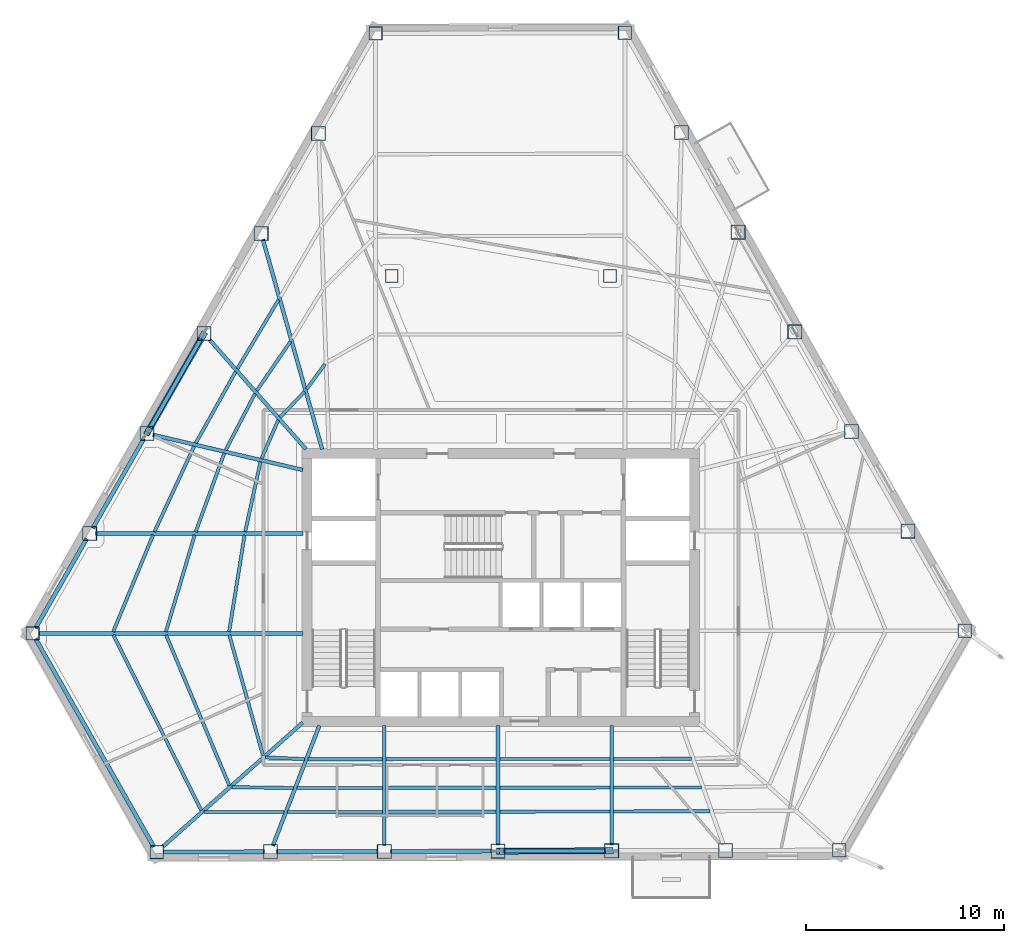
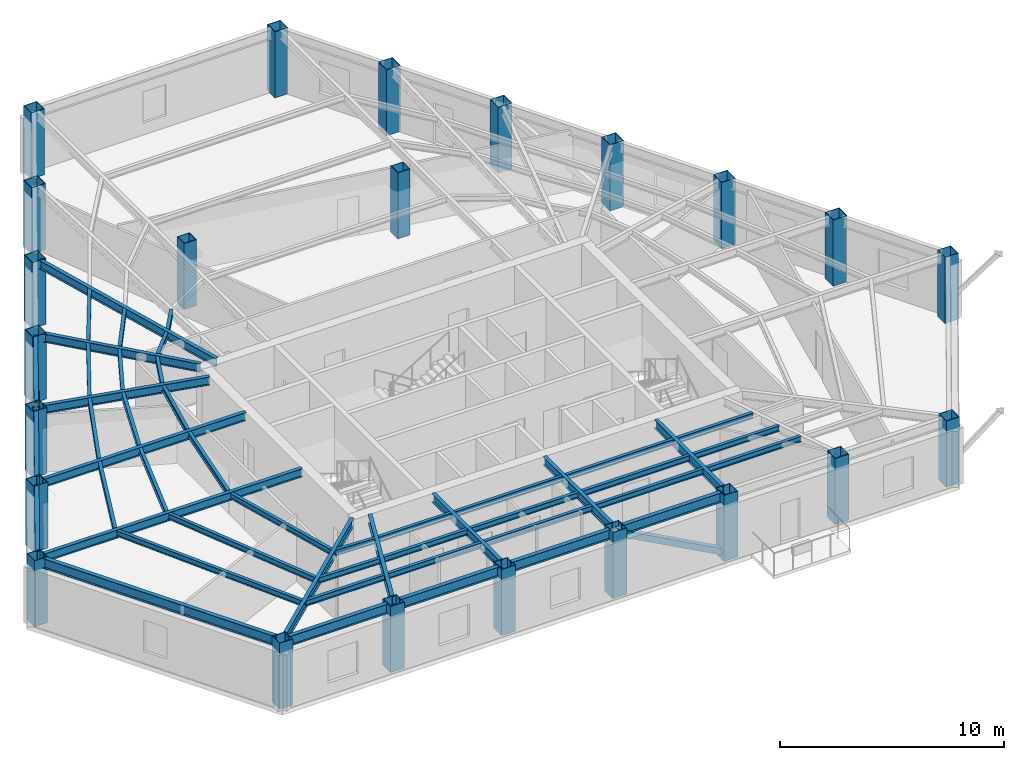
# One storey, part 1 of 11: 49 beams, 23 columns, 2 members.
"""IFC4 building model written with IfcOpenShell, lengths in metres."""

from ifc_helpers import new_model, si_unit, direction, frame, origin, origin_2d, place, context, subcontext, project, spatial, hollow_rectangle, i_section, extrude, material, material_profile, profile_set, type_object, element, save


model = new_model("IFC4")

# Units and contexts
model_context = context("Model", 3, precision=1e-05, world=origin(), true_north=direction((0.0, 1.0)))
body_context = subcontext(model_context, "Body", "Model", "MODEL_VIEW")
ifc_project = project(units=[si_unit("LENGTHUNIT", "METRE"), si_unit("AREAUNIT", "SQUARE_METRE"), si_unit("VOLUMEUNIT", "CUBIC_METRE"), si_unit("PLANEANGLEUNIT", "RADIAN"), si_unit("MASSUNIT", "GRAM", prefix="KILO")], contexts=[model_context])

# Site, building, storey
site_placement = place(None, origin())
site = spatial("IfcSite", under=ifc_project, at=site_placement, CompositionType="ELEMENT")
building_placement = place(site_placement, origin())
building = spatial("IfcBuilding", under=site, at=building_placement, Name="Kavelnor Concourse Tower", CompositionType="ELEMENT")
storey_placement = place(building_placement, frame((0.0, 0.0, 89.35009765625)))
storey = spatial("IfcBuildingStorey", under=building, at=storey_placement, Name="L22", CompositionType="ELEMENT", Elevation=89.35009765625)

# Columns
ifc_material = material(Name="Steel Grade 350", Category="steel")
ifc_material_profile_1 = material_profile(ifc_material, hollow_rectangle(XDim=0.679931640625, YDim=0.679931640625, WallThickness=0.030029296875, at=origin_2d()), Name="SHS 680x680x30")
ifc_profile_set_1 = profile_set([ifc_material_profile_1], Name="Steel Grade 350")
column_type_1 = type_object("IfcColumnType", Name="COL-FOLD-Z2", PredefinedType="COLUMN", material=ifc_profile_set_1)
for number, where, z_axis, x_axis, name in (
    (1, (31.682861328125, 44.02392578125, 0.0), (0.0, 0.0, 1.0), (1.0, 0.0, 0.0), "L22 Perimeter Corner-Fold Column F0-B0"),
    (2, (14.3955078125, 13.78271484375, 0.0), (0.0, 0.0, 1.0), (1.0, 0.0, 0.0), "L22 Perimeter Corner-Fold Column F0-B6"),
    (3, (20.656005859375, 2.76123046875, 0.0), (0.0, 0.0, 1.0), (1.0, 0.0, 0.0), "L22 Perimeter Corner-Fold Column F1-B0"),
    (4, (55.054931640625, 2.85498046875, 0.0), (0.0, 0.0, 1.0), (1.0, 0.0, 0.0), "L22 Perimeter Corner-Fold Column F1-B6"),
    (5, (61.37744140625, 13.915283203125, 0.0), (0.0, 0.0, 1.0), (1.0, 0.0, 0.0), "L22 Perimeter Corner-Fold Column F2-B0"),
    (6, (44.255126953125, 44.05810546875, 0.0), (0.0, 0.0, 1.0), (1.0, 0.0, 0.0), "L22 Perimeter Corner-Fold Column F2-B6"),
):
    element("IfcColumn", number, at=place(storey_placement, frame(where, z_axis=z_axis, x_axis=x_axis)), inside=storey, type_object=column_type_1, Name=name, PredefinedType="COLUMN", context=body_context, shape_type="SweptSolid", body=[
        extrude(hollow_rectangle(XDim=0.679931640625, YDim=0.679931640625, WallThickness=0.030029296875, at=origin_2d()), origin(), (0.0, 0.0, 1.0), 3.599853515625),
    ])
ifc_material_profile_2 = material_profile(ifc_material, hollow_rectangle(XDim=0.719970703125, YDim=0.719970703125, WallThickness=0.031982421875, at=origin_2d()), Name="SHS 720x720x32")
ifc_profile_set_2 = profile_set([ifc_material_profile_2], Name="Steel Grade 350")
column_type_2 = type_object("IfcColumnType", Name="COL-TUBE-Z2", PredefinedType="COLUMN", material=ifc_profile_set_2)
for number, where, z_axis, x_axis, name in (
    (7, (28.801513671875, 38.98388671875, 0.0), (0.0, 0.0, 1.0), (1.0, 0.0, 0.0), "L22 Perimeter Framed-Tube Column F0-B1"),
    (8, (25.92041015625, 33.943603515625, 0.0), (0.0, 0.0, 1.0), (1.0, 0.0, 0.0), "L22 Perimeter Framed-Tube Column F0-B2"),
    (9, (23.0390625, 28.9033203125, 0.0), (0.0, 0.0, 1.0), (1.0, 0.0, 0.0), "L22 Perimeter Framed-Tube Column F0-B3"),
    (10, (20.157958984375, 23.863037109375, 0.0), (0.0, 0.0, 1.0), (1.0, 0.0, 0.0), "L22 Perimeter Framed-Tube Column F0-B4"),
    (11, (17.276611328125, 18.82275390625, 0.0), (0.0, 0.0, 1.0), (1.0, 0.0, 0.0), "L22 Perimeter Framed-Tube Column F0-B5"),
    (12, (26.38916015625, 2.77685546875, 0.0), (0.0, 0.0, 1.0), (1.0, 0.0, 0.0), "L22 Perimeter Framed-Tube Column F1-B1"),
    (13, (32.122314453125, 2.79248046875, 0.0), (0.0, 0.0, 1.0), (1.0, 0.0, 0.0), "L22 Perimeter Framed-Tube Column F1-B2"),
    (14, (37.85546875, 2.80810546875, 0.0), (0.0, 0.0, 1.0), (1.0, 0.0, 0.0), "L22 Perimeter Framed-Tube Column F1-B3"),
    (15, (43.588623046875, 2.82373046875, 0.0), (0.0, 0.0, 1.0), (1.0, 0.0, 0.0), "L22 Perimeter Framed-Tube Column F1-B4"),
    (16, (49.32177734375, 2.83935546875, 0.0), (0.0, 0.0, 1.0), (1.0, 0.0, 0.0), "L22 Perimeter Framed-Tube Column F1-B5"),
    (17, (58.523681640625, 18.939208984375, 0.0), (0.0, 0.0, 1.0), (1.0, 0.0, 0.0), "L22 Perimeter Framed-Tube Column F2-B1"),
    (18, (55.669921875, 23.962890625, 0.0), (0.0, 0.0, 1.0), (1.0, 0.0, 0.0), "L22 Perimeter Framed-Tube Column F2-B2"),
    (19, (52.81640625, 28.98681640625, 0.0), (0.0, 0.0, 1.0), (1.0, 0.0, 0.0), "L22 Perimeter Framed-Tube Column F2-B3"),
    (20, (49.962646484375, 34.010498046875, 0.0), (0.0, 0.0, 1.0), (1.0, 0.0, 0.0), "L22 Perimeter Framed-Tube Column F2-B4"),
    (21, (47.10888671875, 39.034423828125, 0.0), (0.0, 0.0, 1.0), (1.0, 0.0, 0.0), "L22 Perimeter Framed-Tube Column F2-B5"),
):
    element("IfcColumn", number, at=place(storey_placement, frame(where, z_axis=z_axis, x_axis=x_axis)), inside=storey, type_object=column_type_2, Name=name, PredefinedType="COLUMN", context=body_context, shape_type="SweptSolid", body=[
        extrude(hollow_rectangle(XDim=0.719970703125, YDim=0.719970703125, WallThickness=0.031982421875, at=origin_2d()), origin(), (0.0, 0.0, 1.0), 3.599853515625),
    ])
ifc_material_profile_3 = material_profile(ifc_material, hollow_rectangle(XDim=0.639892578125, YDim=0.639892578125, WallThickness=0.028076171875, at=origin_2d()), Name="SHS 640x640x28")
ifc_profile_set_3 = profile_set([ifc_material_profile_3], Name="Steel Grade 350")
column_type_3 = type_object("IfcColumnType", Name="COL-TUBE-Z3", PredefinedType="COLUMN", material=ifc_profile_set_3)
for number, where, z_axis, x_axis, name in (
    (22, (32.5, 31.800048828125, 0.0), (0.0, 0.0, 1.0), (1.0, 0.0, 0.0), "L22 North Interior Gravity Column BC-NW"),
    (23, (43.5, 31.800048828125, 0.0), (0.0, 0.0, 1.0), (1.0, 0.0, 0.0), "L22 North Interior Gravity Column BC-NE"),
):
    element("IfcColumn", number, at=place(storey_placement, frame(where, z_axis=z_axis, x_axis=x_axis)), inside=storey, type_object=column_type_3, Name=name, PredefinedType="COLUMN", context=body_context, shape_type="SweptSolid", body=[
        extrude(hollow_rectangle(XDim=0.639892578125, YDim=0.639892578125, WallThickness=0.028076171875, at=origin_2d()), origin(), (0.0, 0.0, 1.0), 3.599853515625),
    ])

# Beams
ifc_material_profile_4 = material_profile(ifc_material, i_section(OverallWidth=0.166015625, OverallDepth=0.306884765625, WebThickness=0.006591796875, FlangeThickness=0.01171875, at=origin_2d()), Name="310UB46")
ifc_profile_set_4 = profile_set([ifc_material_profile_4], Name="Steel Grade 350")
beam_type_1 = type_object("IfcBeamType", Name="BM-JOIST-310", PredefinedType="JOIST", material=ifc_profile_set_4)
beam_1_placement = place(storey_placement, frame((24.31298828125, 13.697021484375, 3.4462890625), z_axis=(0.269535201079, -0.962990537534, 0.0), x_axis=(0.962990537534, 0.269535201079, 0.0)))
element("IfcBeam", 24, at=beam_1_placement, inside=storey, type_object=beam_type_1, Name="L22 Secondary Composite Joist 01-1", PredefinedType="JOIST", context=body_context, shape_type="SweptSolid", body=[
    extrude(i_section(OverallWidth=0.166015625, OverallDepth=0.306884765625, WebThickness=0.006591796875, FlangeThickness=0.01171875, at=origin_2d()), origin(), (0.0, 0.0, 1.0), 6.3095703125),
])
beam_2_placement = place(storey_placement, frame((21.125732421875, 13.70068359375, 3.4462890625), z_axis=(0.387429273987, -0.921899429253, 0.0), x_axis=(0.921899429253, 0.387429273987, 0.0)))
element("IfcBeam", 25, at=beam_2_placement, inside=storey, type_object=beam_type_1, Name="L22 Secondary Composite Joist 01-2", PredefinedType="JOIST", context=body_context, shape_type="SweptSolid", body=[
    extrude(i_section(OverallWidth=0.166015625, OverallDepth=0.306884765625, WebThickness=0.006591796875, FlangeThickness=0.01171875, at=origin_2d()), origin(), (0.0, 0.0, 1.0), 8.225341796875),
])
beam_3_placement = place(storey_placement, frame((18.46630859375, 13.702880859375, 3.4462890625), z_axis=(0.448299813483, -0.893883257048, 0.0), x_axis=(0.893883257048, 0.448299813483, 0.0)))
element("IfcBeam", 26, at=beam_3_placement, inside=storey, type_object=beam_type_1, Name="L22 Secondary Composite Joist 01-3", PredefinedType="JOIST", context=body_context, shape_type="SweptSolid", body=[
    extrude(i_section(OverallWidth=0.166015625, OverallDepth=0.306884765625, WebThickness=0.006591796875, FlangeThickness=0.01171875, at=origin_2d()), origin(), (0.0, 0.0, 1.0), 9.886474609375),
])
beam_4_placement = place(storey_placement, frame((26.12646484375, 7.53125, 3.4462890625), z_axis=(0.999054065326, -0.043485337245, 0.0), x_axis=(0.043485337245, 0.999054065326, 0.0)))
element("IfcBeam", 27, at=beam_4_placement, inside=storey, type_object=beam_type_1, Name="L22 Secondary Composite Joist 02-1", PredefinedType="JOIST", context=body_context, shape_type="SweptSolid", body=[
    extrude(i_section(OverallWidth=0.166015625, OverallDepth=0.306884765625, WebThickness=0.006591796875, FlangeThickness=0.01171875, at=origin_2d()), origin(), (0.0, 0.0, 1.0), 1.98193359375),
])
beam_5_placement = place(storey_placement, frame((24.43603515625, 6.0341796875, 3.4462890625), z_axis=(0.999892089779, -0.01469043218, 0.0), x_axis=(0.01469043218, 0.999892089779, 0.0)))
element("IfcBeam", 28, at=beam_5_placement, inside=storey, type_object=beam_type_1, Name="L22 Secondary Composite Joist 02-2", PredefinedType="JOIST", context=body_context, shape_type="SweptSolid", body=[
    extrude(i_section(OverallWidth=0.166015625, OverallDepth=0.306884765625, WebThickness=0.006591796875, FlangeThickness=0.01171875, at=origin_2d()), origin(), (0.0, 0.0, 1.0), 3.107666015625),
])
beam_6_placement = place(storey_placement, frame((23.02734375, 4.78564453125, 3.4462890625), z_axis=(0.999997088421, -0.002413120387, 0.0), x_axis=(0.002413120387, 0.999997088421, 0.0)))
element("IfcBeam", 29, at=beam_6_placement, inside=storey, type_object=beam_type_1, Name="L22 Secondary Composite Joist 02-3", PredefinedType="JOIST", context=body_context, shape_type="SweptSolid", body=[
    extrude(i_section(OverallWidth=0.166015625, OverallDepth=0.306884765625, WebThickness=0.006591796875, FlangeThickness=0.01171875, at=origin_2d()), origin(), (0.0, 0.0, 1.0), 4.046875),
])
beam_7_placement = place(storey_placement, frame((28.284423828125, 7.44140625, 3.4462890625), z_axis=(0.999999064792, 0.001367631414, 0.0), x_axis=(-0.001367631414, 0.999999064792, 0.0)))
element("IfcBeam", 30, at=beam_7_placement, inside=storey, type_object=beam_type_1, Name="L22 Secondary Composite Joist 03-1", PredefinedType="JOIST", context=body_context, shape_type="SweptSolid", body=[
    extrude(i_section(OverallWidth=0.166015625, OverallDepth=0.306884765625, WebThickness=0.006591796875, FlangeThickness=0.01171875, at=origin_2d()), origin(), (0.0, 0.0, 1.0), 3.748779296875),
])
beam_8_placement = place(storey_placement, frame((27.721435546875, 5.987548828125, 3.4462890625), z_axis=(0.9999984595, 0.001755277291, 0.0), x_axis=(-0.001755277291, 0.9999984595, 0.0)))
element("IfcBeam", 31, at=beam_8_placement, inside=storey, type_object=beam_type_1, Name="L22 Secondary Composite Joist 03-2", PredefinedType="JOIST", context=body_context, shape_type="SweptSolid", body=[
    extrude(i_section(OverallWidth=0.166015625, OverallDepth=0.306884765625, WebThickness=0.006591796875, FlangeThickness=0.01171875, at=origin_2d()), origin(), (0.0, 0.0, 1.0), 4.311767578125),
])
beam_9_placement = place(storey_placement, frame((27.252197265625, 4.77587890625, 3.4462890625), z_axis=(0.999997913924, 0.002042583698, 0.0), x_axis=(-0.002042583698, 0.999997913924, 0.0)))
element("IfcBeam", 32, at=beam_9_placement, inside=storey, type_object=beam_type_1, Name="L22 Secondary Composite Joist 03-3", PredefinedType="JOIST", context=body_context, shape_type="SweptSolid", body=[
    extrude(i_section(OverallWidth=0.166015625, OverallDepth=0.306884765625, WebThickness=0.006591796875, FlangeThickness=0.01171875, at=origin_2d()), origin(), (0.0, 0.0, 1.0), 4.781005859375),
])
for number, where, z_axis, x_axis, name in (
    (33, (32.211181640625, 7.44677734375, 3.4462890625), (0.999999720905, 0.000747121177, 0.0), (-0.000747121177, 0.999999720905, 0.0), "L22 Secondary Composite Joist 04-1"),
    (34, (32.211181640625, 5.995361328125, 3.4462890625), (0.999998948325, 0.001450292928, 0.0), (-0.001450292928, 0.999998948325, 0.0), "L22 Secondary Composite Joist 04-2"),
    (35, (32.211181640625, 4.785888671875, 3.4462890625), (0.999998044408, 0.001977670388, 0.0), (-0.001977670388, 0.999998044408, 0.0), "L22 Secondary Composite Joist 04-3"),
    (36, (37.9443359375, 7.451171875, 3.4462890625), (0.999999720905, 0.000747121177, 0.0), (-0.000747121177, 0.999999720905, 0.0), "L22 Secondary Composite Joist 05-1"),
    (37, (37.9443359375, 6.00341796875, 3.4462890625), (0.999998948325, 0.001450292928, 0.0), (-0.001450292928, 0.999998948325, 0.0), "L22 Secondary Composite Joist 05-2"),
    (38, (37.9443359375, 4.797119140625, 3.4462890625), (0.999998044408, 0.001977670388, 0.0), (-0.001977670388, 0.999998044408, 0.0), "L22 Secondary Composite Joist 05-3"),
):
    element("IfcBeam", number, at=place(storey_placement, frame(where, z_axis=z_axis, x_axis=x_axis)), inside=storey, type_object=beam_type_1, Name=name, PredefinedType="JOIST", context=body_context, shape_type="SweptSolid", body=[
        extrude(i_section(OverallWidth=0.166015625, OverallDepth=0.306884765625, WebThickness=0.006591796875, FlangeThickness=0.01171875, at=origin_2d()), origin(), (0.0, 0.0, 1.0), 5.55517578125),
    ])
beam_10_placement = place(storey_placement, frame((43.677490234375, 7.45556640625, 3.4462890625), z_axis=(0.999999673239, 0.000808407173, 0.0), x_axis=(-0.000808407173, 0.999999673239, 0.0)))
element("IfcBeam", 39, at=beam_10_placement, inside=storey, type_object=beam_type_1, Name="L22 Secondary Composite Joist 06-1", PredefinedType="JOIST", context=body_context, shape_type="SweptSolid", body=[
    extrude(i_section(OverallWidth=0.166015625, OverallDepth=0.306884765625, WebThickness=0.006591796875, FlangeThickness=0.01171875, at=origin_2d()), origin(), (0.0, 0.0, 1.0), 3.926025390625),
])
beam_11_placement = place(storey_placement, frame((43.677490234375, 6.01171875, 3.4462890625), z_axis=(0.99999844748, 0.001762111802, 0.0), x_axis=(-0.001762111802, 0.99999844748, 0.0)))
element("IfcBeam", 40, at=beam_11_placement, inside=storey, type_object=beam_type_1, Name="L22 Secondary Composite Joist 06-2", PredefinedType="JOIST", context=body_context, shape_type="SweptSolid", body=[
    extrude(i_section(OverallWidth=0.166015625, OverallDepth=0.306884765625, WebThickness=0.006591796875, FlangeThickness=0.01171875, at=origin_2d()), origin(), (0.0, 0.0, 1.0), 4.43359375),
])
beam_12_placement = place(storey_placement, frame((43.677490234375, 4.80859375, 3.4462890625), z_axis=(0.999997088655, 0.002413023339, 0.0), x_axis=(-0.002413023339, 0.999997088655, 0.0)))
element("IfcBeam", 41, at=beam_12_placement, inside=storey, type_object=beam_type_1, Name="L22 Secondary Composite Joist 06-3", PredefinedType="JOIST", context=body_context, shape_type="SweptSolid", body=[
    extrude(i_section(OverallWidth=0.166015625, OverallDepth=0.306884765625, WebThickness=0.006591796875, FlangeThickness=0.01171875, at=origin_2d()), origin(), (0.0, 0.0, 1.0), 4.8564453125),
])
beam_13_placement = place(storey_placement, frame((29.135498046875, 27.36279296875, 3.4462890625), z_axis=(-0.589614549556, -0.807684767067, 0.0), x_axis=(0.807684767067, -0.589614549556, 0.0)))
element("IfcBeam", 42, at=beam_13_placement, inside=storey, type_object=beam_type_1, Name="L22 Secondary Composite Joist 17-1", PredefinedType="JOIST", context=body_context, shape_type="SweptSolid", body=[
    extrude(i_section(OverallWidth=0.166015625, OverallDepth=0.306884765625, WebThickness=0.006591796875, FlangeThickness=0.01171875, at=origin_2d()), origin(), (0.0, 0.0, 1.0), 1.568603515625),
])
beam_14_placement = place(storey_placement, frame((28.0966796875, 25.959716796875, 3.4462890625), z_axis=(-0.691059708931, -0.722797674797, 0.0), x_axis=(0.722797674797, -0.691059708931, 0.0)))
element("IfcBeam", 43, at=beam_14_placement, inside=storey, type_object=beam_type_1, Name="L22 Secondary Composite Joist 18-1", PredefinedType="JOIST", context=body_context, shape_type="SweptSolid", body=[
    extrude(i_section(OverallWidth=0.166015625, OverallDepth=0.306884765625, WebThickness=0.006591796875, FlangeThickness=0.01171875, at=origin_2d()), origin(), (0.0, 0.0, 1.0), 1.769287109375),
])
beam_15_placement = place(storey_placement, frame((27.390380859375, 28.489990234375, 3.4462890625), z_axis=(-0.564990318862, -0.825097533381, 0.0), x_axis=(0.825097533381, -0.564990318862, 0.0)))
element("IfcBeam", 44, at=beam_15_placement, inside=storey, type_object=beam_type_1, Name="L22 Secondary Composite Joist 18-2", PredefinedType="JOIST", context=body_context, shape_type="SweptSolid", body=[
    extrude(i_section(OverallWidth=0.166015625, OverallDepth=0.306884765625, WebThickness=0.006591796875, FlangeThickness=0.01171875, at=origin_2d()), origin(), (0.0, 0.0, 1.0), 2.998779296875),
])
beam_16_placement = place(storey_placement, frame((26.797119140625, 30.60302734375, 3.4462890625), z_axis=(-0.512731868994, -0.858548793324, 0.0), x_axis=(0.858548793324, -0.512731868994, 0.0)))
element("IfcBeam", 45, at=beam_16_placement, inside=storey, type_object=beam_type_1, Name="L22 Secondary Composite Joist 18-3", PredefinedType="JOIST", context=body_context, shape_type="SweptSolid", body=[
    extrude(i_section(OverallWidth=0.166015625, OverallDepth=0.306884765625, WebThickness=0.006591796875, FlangeThickness=0.01171875, at=origin_2d()), origin(), (0.0, 0.0, 1.0), 4.052978515625),
])
beam_17_placement = place(storey_placement, frame((26.777099609375, 24.534912109375, 3.4462890625), z_axis=(-0.397613927001, -0.917552813224, 0.0), x_axis=(0.917552813224, -0.397613927001, 0.0)))
element("IfcBeam", 46, at=beam_17_placement, inside=storey, type_object=beam_type_1, Name="L22 Secondary Composite Joist 19-1", PredefinedType="JOIST", context=body_context, shape_type="SweptSolid", body=[
    extrude(i_section(OverallWidth=0.166015625, OverallDepth=0.306884765625, WebThickness=0.006591796875, FlangeThickness=0.01171875, at=origin_2d()), origin(), (0.0, 0.0, 1.0), 2.111572265625),
])
beam_18_placement = place(storey_placement, frame((25.604736328125, 25.863037109375, 3.4462890625), z_axis=(-0.460759851971, -0.887524849687, 0.0), x_axis=(0.887524849687, -0.460759851971, 0.0)))
element("IfcBeam", 47, at=beam_18_placement, inside=storey, type_object=beam_type_1, Name="L22 Secondary Composite Joist 19-2", PredefinedType="JOIST", context=body_context, shape_type="SweptSolid", body=[
    extrude(i_section(OverallWidth=0.166015625, OverallDepth=0.306884765625, WebThickness=0.006591796875, FlangeThickness=0.01171875, at=origin_2d()), origin(), (0.0, 0.0, 1.0), 3.203125),
])
beam_19_placement = place(storey_placement, frame((24.6298828125, 26.968994140625, 3.4462890625), z_axis=(-0.488126846299, -0.872772697741, 0.0), x_axis=(0.872772697741, -0.488126846299, 0.0)))
element("IfcBeam", 48, at=beam_19_placement, inside=storey, type_object=beam_type_1, Name="L22 Secondary Composite Joist 19-3", PredefinedType="JOIST", context=body_context, shape_type="SweptSolid", body=[
    extrude(i_section(OverallWidth=0.166015625, OverallDepth=0.306884765625, WebThickness=0.006591796875, FlangeThickness=0.01171875, at=origin_2d()), origin(), (0.0, 0.0, 1.0), 4.119384765625),
])
beam_20_placement = place(storey_placement, frame((25.883056640625, 22.4287109375, 3.4462890625), z_axis=(-0.213318834498, -0.976982637946, 0.0), x_axis=(0.976982637946, -0.213318834498, 0.0)))
element("IfcBeam", 49, at=beam_20_placement, inside=storey, type_object=beam_type_1, Name="L22 Secondary Composite Joist 20-1", PredefinedType="JOIST", context=body_context, shape_type="SweptSolid", body=[
    extrude(i_section(OverallWidth=0.166015625, OverallDepth=0.306884765625, WebThickness=0.006591796875, FlangeThickness=0.01171875, at=origin_2d()), origin(), (0.0, 0.0, 1.0), 3.601806640625),
])
beam_21_placement = place(storey_placement, frame((24.057373046875, 22.857666015625, 3.4462890625), z_axis=(-0.341892250099, -0.939739160258, 0.0), x_axis=(0.939739160258, -0.341892250099, 0.0)))
element("IfcBeam", 50, at=beam_21_placement, inside=storey, type_object=beam_type_1, Name="L22 Secondary Composite Joist 20-2", PredefinedType="JOIST", context=body_context, shape_type="SweptSolid", body=[
    extrude(i_section(OverallWidth=0.166015625, OverallDepth=0.306884765625, WebThickness=0.006591796875, FlangeThickness=0.01171875, at=origin_2d()), origin(), (0.0, 0.0, 1.0), 4.20458984375),
])
beam_22_placement = place(storey_placement, frame((22.538330078125, 23.215087890625, 3.4462890625), z_axis=(-0.420845670272, -0.907132251556, 0.0), x_axis=(0.907132251556, -0.420845670272, 0.0)))
element("IfcBeam", 51, at=beam_22_placement, inside=storey, type_object=beam_type_1, Name="L22 Secondary Composite Joist 20-3", PredefinedType="JOIST", context=body_context, shape_type="SweptSolid", body=[
    extrude(i_section(OverallWidth=0.166015625, OverallDepth=0.306884765625, WebThickness=0.006591796875, FlangeThickness=0.01171875, at=origin_2d()), origin(), (0.0, 0.0, 1.0), 4.7529296875),
])
beam_23_placement = place(storey_placement, frame((25.081787109375, 18.73486328125, 3.4462890625), z_axis=(-0.158046555353, -0.987431661605, 0.0), x_axis=(0.987431661605, -0.158046555353, 0.0)))
element("IfcBeam", 52, at=beam_23_placement, inside=storey, type_object=beam_type_1, Name="L22 Secondary Composite Joist 21-1", PredefinedType="JOIST", context=body_context, shape_type="SweptSolid", body=[
    extrude(i_section(OverallWidth=0.166015625, OverallDepth=0.306884765625, WebThickness=0.006591796875, FlangeThickness=0.01171875, at=origin_2d()), origin(), (0.0, 0.0, 1.0), 4.92626953125),
])
beam_24_placement = place(storey_placement, frame((22.564208984375, 18.737548828125, 3.4462890625), z_axis=(-0.284930886776, -0.958548063355, 0.0), x_axis=(0.958548063355, -0.284930886776, 0.0)))
element("IfcBeam", 53, at=beam_24_placement, inside=storey, type_object=beam_type_1, Name="L22 Secondary Composite Joist 21-2", PredefinedType="JOIST", context=body_context, shape_type="SweptSolid", body=[
    extrude(i_section(OverallWidth=0.166015625, OverallDepth=0.306884765625, WebThickness=0.006591796875, FlangeThickness=0.01171875, at=origin_2d()), origin(), (0.0, 0.0, 1.0), 5.080322265625),
])
beam_25_placement = place(storey_placement, frame((20.466796875, 18.740478515625, 3.4462890625), z_axis=(-0.380593754889, -0.924742339108, 0.0), x_axis=(0.924742339108, -0.380593754889, 0.0)))
element("IfcBeam", 54, at=beam_25_placement, inside=storey, type_object=beam_type_1, Name="L22 Secondary Composite Joist 21-3", PredefinedType="JOIST", context=body_context, shape_type="SweptSolid", body=[
    extrude(i_section(OverallWidth=0.166015625, OverallDepth=0.306884765625, WebThickness=0.006591796875, FlangeThickness=0.01171875, at=origin_2d()), origin(), (0.0, 0.0, 1.0), 5.272216796875),
])
ifc_material_profile_5 = material_profile(ifc_material, i_section(OverallWidth=0.18994140625, OverallDepth=0.4541015625, WebThickness=0.008544921875, FlangeThickness=0.0126953125, at=origin_2d()), Name="460UB67")
ifc_profile_set_5 = profile_set([ifc_material_profile_5], Name="Steel Grade 350")
beam_type_2 = type_object("IfcBeamType", Name="BM-PRIMARY-460", PredefinedType="BEAM", material=ifc_profile_set_5)
beam_26_placement = place(storey_placement, frame((28.995361328125, 23.0615234375, 3.372802734375), z_axis=(-0.27192213789, 0.962319256237, 0.0), x_axis=(-0.962319256237, -0.27192213789, 0.0)))
element("IfcBeam", 55, at=beam_26_placement, inside=storey, type_object=beam_type_2, Name="L22 Primary Floor Girder F0-B2", PredefinedType="BEAM", context=body_context, shape_type="SweptSolid", body=[
    extrude(i_section(OverallWidth=0.18994140625, OverallDepth=0.4541015625, WebThickness=0.008544921875, FlangeThickness=0.0126953125, at=origin_2d()), origin(), (0.0, 0.0, 1.0), 10.994873046875),
])
beam_27_placement = place(storey_placement, frame((28.174072265625, 23.070068359375, 3.372802734375), z_axis=(-0.66075428779, 0.75060227229, 0.0), x_axis=(-0.75060227229, -0.66075428779, 0.0)))
element("IfcBeam", 56, at=beam_27_placement, inside=storey, type_object=beam_type_2, Name="L22 Primary Floor Girder F0-B3", PredefinedType="BEAM", context=body_context, shape_type="SweptSolid", body=[
    extrude(i_section(OverallWidth=0.18994140625, OverallDepth=0.4541015625, WebThickness=0.008544921875, FlangeThickness=0.0126953125, at=origin_2d()), origin(), (0.0, 0.0, 1.0), 7.3583984375),
])
beam_28_placement = place(storey_placement, frame((28.018798828125, 22.019287109375, 3.372802734375), z_axis=(-0.973577331383, 0.22835757009, 0.0), x_axis=(-0.22835757009, -0.973577331383, 0.0)))
element("IfcBeam", 57, at=beam_28_placement, inside=storey, type_object=beam_type_2, Name="L22 Primary Floor Girder F0-B4", PredefinedType="BEAM", context=body_context, shape_type="SweptSolid", body=[
    extrude(i_section(OverallWidth=0.18994140625, OverallDepth=0.4541015625, WebThickness=0.008544921875, FlangeThickness=0.0126953125, at=origin_2d()), origin(), (0.0, 0.0, 1.0), 7.764892578125),
])
beam_29_placement = place(storey_placement, frame((28.02001953125, 18.82275390625, 3.372802734375), z_axis=(-1.0, 0.0, 0.0), x_axis=(0.0, -1.0, 0.0)))
element("IfcBeam", 58, at=beam_29_placement, inside=storey, type_object=beam_type_2, Name="L22 Primary Floor Girder F0-B5", PredefinedType="BEAM", context=body_context, shape_type="SweptSolid", body=[
    extrude(i_section(OverallWidth=0.18994140625, OverallDepth=0.4541015625, WebThickness=0.008544921875, FlangeThickness=0.0126953125, at=origin_2d()), origin(), (0.0, 0.0, 1.0), 10.443359375),
])
beam_30_placement = place(storey_placement, frame((28.02001953125, 13.78271484375, 3.372802734375), z_axis=(-1.0, 0.0, 0.0), x_axis=(0.0, -1.0, 0.0)))
element("IfcBeam", 59, at=beam_30_placement, inside=storey, type_object=beam_type_2, Name="L22 Primary Floor Girder F0-B6", PredefinedType="BEAM", context=body_context, shape_type="SweptSolid", body=[
    extrude(i_section(OverallWidth=0.18994140625, OverallDepth=0.4541015625, WebThickness=0.008544921875, FlangeThickness=0.0126953125, at=origin_2d()), origin(), (0.0, 0.0, 1.0), 13.32470703125),
])
beam_31_placement = place(storey_placement, frame((28.010009765625, 9.28466796875, 3.372802734375), z_axis=(-0.748094153447, -0.663592599098, 0.0), x_axis=(0.663592599098, -0.748094153447, 0.0)))
element("IfcBeam", 60, at=beam_31_placement, inside=storey, type_object=beam_type_2, Name="L22 Primary Floor Girder F1-B0", PredefinedType="BEAM", context=body_context, shape_type="SweptSolid", body=[
    extrude(i_section(OverallWidth=0.18994140625, OverallDepth=0.4541015625, WebThickness=0.008544921875, FlangeThickness=0.0126953125, at=origin_2d()), origin(), (0.0, 0.0, 1.0), 9.415771484375),
])
beam_32_placement = place(storey_placement, frame((28.852294921875, 9.13720703125, 3.372802734375), z_axis=(-0.361136438136, -0.93251298814, 0.0), x_axis=(0.93251298814, -0.361136438136, 0.0)))
element("IfcBeam", 61, at=beam_32_placement, inside=storey, type_object=beam_type_2, Name="L22 Primary Floor Girder F1-B1", PredefinedType="BEAM", context=body_context, shape_type="SweptSolid", body=[
    extrude(i_section(OverallWidth=0.18994140625, OverallDepth=0.4541015625, WebThickness=0.008544921875, FlangeThickness=0.0126953125, at=origin_2d()), origin(), (0.0, 0.0, 1.0), 6.49609375),
])
beam_33_placement = place(storey_placement, frame((32.122314453125, 9.139892578125, 3.372802734375), z_axis=(0.0, -1.0, 0.0), x_axis=(1.0, 0.0, 0.0)))
element("IfcBeam", 62, at=beam_33_placement, inside=storey, type_object=beam_type_2, Name="L22 Primary Floor Girder F1-B2", PredefinedType="BEAM", context=body_context, shape_type="SweptSolid", body=[
    extrude(i_section(OverallWidth=0.18994140625, OverallDepth=0.4541015625, WebThickness=0.008544921875, FlangeThickness=0.0126953125, at=origin_2d()), origin(), (0.0, 0.0, 1.0), 6.04736328125),
])
beam_34_placement = place(storey_placement, frame((37.85546875, 9.139892578125, 3.372802734375), z_axis=(0.0, -1.0, 0.0), x_axis=(1.0, 0.0, 0.0)))
element("IfcBeam", 63, at=beam_34_placement, inside=storey, type_object=beam_type_2, Name="L22 Primary Floor Girder F1-B3", PredefinedType="BEAM", context=body_context, shape_type="SweptSolid", body=[
    extrude(i_section(OverallWidth=0.18994140625, OverallDepth=0.4541015625, WebThickness=0.008544921875, FlangeThickness=0.0126953125, at=origin_2d()), origin(), (0.0, 0.0, 1.0), 6.03173828125),
])
beam_35_placement = place(storey_placement, frame((43.588623046875, 9.139892578125, 3.372802734375), z_axis=(0.0, -1.0, 0.0), x_axis=(1.0, 0.0, 0.0)))
element("IfcBeam", 64, at=beam_35_placement, inside=storey, type_object=beam_type_2, Name="L22 Primary Floor Girder F1-B4", PredefinedType="BEAM", context=body_context, shape_type="SweptSolid", body=[
    extrude(i_section(OverallWidth=0.18994140625, OverallDepth=0.4541015625, WebThickness=0.008544921875, FlangeThickness=0.0126953125, at=origin_2d()), origin(), (0.0, 0.0, 1.0), 6.01611328125),
])
ifc_material_profile_6 = material_profile(ifc_material, i_section(OverallWidth=0.208984375, OverallDepth=0.532958984375, WebThickness=0.01025390625, FlangeThickness=0.015625, at=origin_2d()), Name="530UB92")
ifc_profile_set_6 = profile_set([ifc_material_profile_6], Name="Steel Grade 350")
beam_type_3 = type_object("IfcBeamType", Name="BM-SPANDREL-Z2", PredefinedType="SPANDREL", material=ifc_profile_set_6)
beam_36_placement = place(storey_placement, frame((22.8876953125, 28.638427734375, 3.33349609375), z_axis=(-0.496275568578, -0.86816505345, 0.0), x_axis=(0.86816505345, -0.496275568578, 0.0)))
element("IfcBeam", 65, at=beam_36_placement, inside=storey, type_object=beam_type_3, Name="L22 Perimeter Tube Spandrel Beam F0-B3", PredefinedType="SPANDREL", context=body_context, shape_type="SweptSolid", body=[
    extrude(i_section(OverallWidth=0.208984375, OverallDepth=0.532958984375, WebThickness=0.01025390625, FlangeThickness=0.015625, at=origin_2d()), origin(), (0.0, 0.0, 1.0), 5.195556640625),
])
beam_37_placement = place(storey_placement, frame((20.006591796875, 23.598388671875, 3.33349609375), z_axis=(-0.496290739223, -0.868156381167, 0.0), x_axis=(0.868156381167, -0.496290739223, 0.0)))
element("IfcBeam", 66, at=beam_37_placement, inside=storey, type_object=beam_type_3, Name="L22 Perimeter Tube Spandrel Beam F0-B4", PredefinedType="SPANDREL", context=body_context, shape_type="SweptSolid", body=[
    extrude(i_section(OverallWidth=0.208984375, OverallDepth=0.532958984375, WebThickness=0.01025390625, FlangeThickness=0.015625, at=origin_2d()), origin(), (0.0, 0.0, 1.0), 5.19580078125),
])
beam_38_placement = place(storey_placement, frame((17.125244140625, 18.55810546875, 3.33349609375), z_axis=(-0.496255323092, -0.868176626213, 0.0), x_axis=(0.868176626213, -0.496255323092, 0.0)))
element("IfcBeam", 67, at=beam_38_placement, inside=storey, type_object=beam_type_3, Name="L22 Perimeter Tube Spandrel Beam F0-B5", PredefinedType="SPANDREL", context=body_context, shape_type="SweptSolid", body=[
    extrude(i_section(OverallWidth=0.208984375, OverallDepth=0.532958984375, WebThickness=0.01025390625, FlangeThickness=0.015625, at=origin_2d()), origin(), (0.0, 0.0, 1.0), 5.195556640625),
])
for number, where, z_axis, x_axis, name in (
    (68, (20.9609375, 2.76220703125, 3.33349609375), (0.999996310727, 0.002716345297, 0.0), (-0.002716345297, 0.999996310727, 0.0), "L22 Perimeter Tube Spandrel Beam F1-B0"),
    (69, (26.694091796875, 2.777587890625, 3.33349609375), (0.999996180144, 0.002764000117, 0.0), (-0.002764000117, 0.999996180144, 0.0), "L22 Perimeter Tube Spandrel Beam F1-B1"),
    (70, (32.42724609375, 2.793212890625, 3.33349609375), (0.999996180144, 0.002764000117, 0.0), (-0.002764000117, 0.999996180144, 0.0), "L22 Perimeter Tube Spandrel Beam F1-B2"),
):
    element("IfcBeam", number, at=place(storey_placement, frame(where, z_axis=z_axis, x_axis=x_axis)), inside=storey, type_object=beam_type_3, Name=name, PredefinedType="SPANDREL", context=body_context, shape_type="SweptSolid", body=[
        extrude(i_section(OverallWidth=0.208984375, OverallDepth=0.532958984375, WebThickness=0.01025390625, FlangeThickness=0.015625, at=origin_2d()), origin(), (0.0, 0.0, 1.0), 5.123046875),
    ])
beam_39_placement = place(storey_placement, frame((38.160400390625, 2.808837890625, 3.33349609375), z_axis=(0.999996180508, 0.002763868405, 0.0), x_axis=(-0.002763868405, 0.999996180508, 0.0)))
element("IfcBeam", 71, at=beam_39_placement, inside=storey, type_object=beam_type_3, Name="L22 Perimeter Tube Spandrel Beam F1-B3", PredefinedType="SPANDREL", context=body_context, shape_type="SweptSolid", body=[
    extrude(i_section(OverallWidth=0.208984375, OverallDepth=0.532958984375, WebThickness=0.01025390625, FlangeThickness=0.015625, at=origin_2d()), origin(), (0.0, 0.0, 1.0), 5.123291015625),
])
beam_40_placement = place(storey_placement, frame((14.5458984375, 13.517333984375, 3.33349609375), z_axis=(0.493936398676, -0.869498035687, 0.0), x_axis=(0.869498035687, 0.493936398676, 0.0)))
element("IfcBeam", 72, at=beam_40_placement, inside=storey, type_object=beam_type_3, Name="L22 Chamfer Facet Spandrel Beam C1", PredefinedType="SPANDREL", context=body_context, shape_type="SweptSolid", body=[
    extrude(i_section(OverallWidth=0.208984375, OverallDepth=0.532958984375, WebThickness=0.01025390625, FlangeThickness=0.015625, at=origin_2d()), origin(), (0.0, 0.0, 1.0), 12.065185546875),
])

# Members
ifc_material_profile_7 = material_profile(ifc_material, hollow_rectangle(XDim=0.320068359375, YDim=0.320068359375, WallThickness=0.01806640625, at=origin_2d()), Name="SHS 320x320x18")
ifc_profile_set_7 = profile_set([ifc_material_profile_7], Name="Steel Grade 350")
member_type = type_object("IfcMemberType", Name="MBR-TUBE-DIAG-Z2", PredefinedType="BRACE", material=ifc_profile_set_7)
member_1_placement = place(storey_placement, frame((23.0390625, 28.9033203125, 0.219970703125), z_axis=(-0.437338526368, -0.765092269882, 0.472619119293), x_axis=(0.868173261717, -0.496261209083, 0.0)))
element("IfcMember", 73, at=member_1_placement, inside=storey, type_object=member_type, Name="L22 Framed-Tube Bracing Diagonal F0-B3", PredefinedType="BRACE", context=body_context, shape_type="SweptSolid", body=[
    extrude(hollow_rectangle(XDim=0.320068359375, YDim=0.320068359375, WallThickness=0.01806640625, at=origin_2d()), origin(), (0.0, 0.0, 1.0), 6.587890625),
])
member_2_placement = place(storey_placement, frame((43.588623046875, 2.82373046875, 0.219970703125), z_axis=(-0.878771100735, -0.002394981495, 0.477237484464), x_axis=(0.002725365682, -0.999996286184, 0.0)))
element("IfcMember", 74, at=member_2_placement, inside=storey, type_object=member_type, Name="L22 Framed-Tube Bracing Diagonal F1-B3", PredefinedType="BRACE", context=body_context, shape_type="SweptSolid", body=[
    extrude(hollow_rectangle(XDim=0.320068359375, YDim=0.320068359375, WallThickness=0.01806640625, at=origin_2d()), origin(), (0.0, 0.0, 1.0), 6.524169921875),
])

save(model, "model.ifc")
